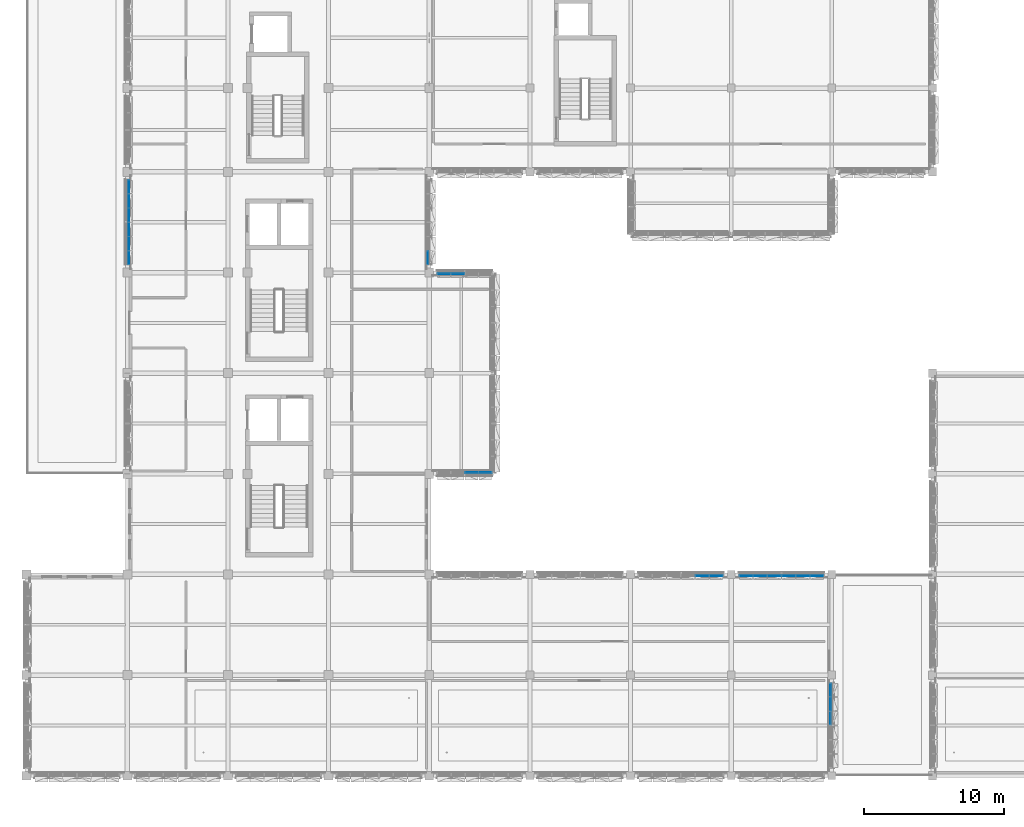
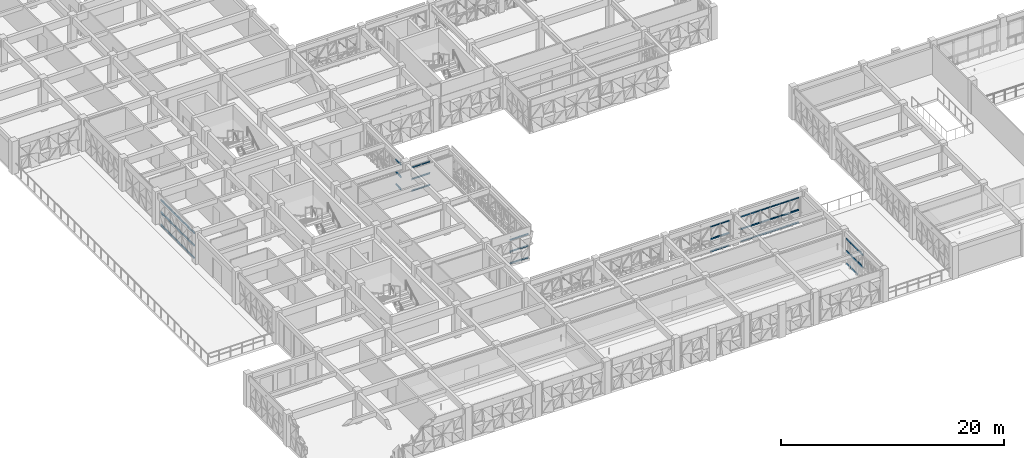
# One storey, part 23 of 85: 65 members, 7 elements without a shape of their own.
"""IFC4 building model written with IfcOpenShell, lengths in metres."""

from ifc_helpers import new_model, si_unit, direction, frame, origin, origin_2d, place, context, subcontext, project, spatial, rectangle, extrude, material, material_profile, profile_set, type_object, element, aggregate, save


model = new_model("IFC4")

# Units and contexts
model_context = context("Model", 3, precision=1e-05, world=origin(), true_north=direction((0.0, 1.0)))
body_context = subcontext(model_context, "Body", "Model", "MODEL_VIEW")
ifc_project = project(units=[si_unit("LENGTHUNIT", "METRE"), si_unit("AREAUNIT", "SQUARE_METRE"), si_unit("VOLUMEUNIT", "CUBIC_METRE"), si_unit("PLANEANGLEUNIT", "RADIAN"), si_unit("MASSUNIT", "GRAM", prefix="KILO")], contexts=[model_context])

# Site, building, storey
site_placement = place(None, origin())
site = spatial("IfcSite", under=ifc_project, at=site_placement, CompositionType="ELEMENT")
building_placement = place(site_placement, origin())
building = spatial("IfcBuilding", under=site, at=building_placement, Name="Alvorim Cloister Faculty of Sciences", CompositionType="ELEMENT")
storey_placement = place(building_placement, frame((0.0, 0.0, 8.550048828125)))
storey = spatial("IfcBuildingStorey", under=building, at=storey_placement, Name="L02", CompositionType="ELEMENT", Elevation=8.550048828125)

# Curtain wall, members
ifc_material_1 = material(Name="Aluminium and Low-E Glass Curtain Wall", Category="aluminium")
curtain_wall_type_1 = type_object("IfcCurtainWallType", Name="CW-TRI-6120x2850", PredefinedType="USERDEFINED", material=ifc_material_1)
curtain_wall_1_placement = place(storey_placement, origin())
curtain_wall_1 = element("IfcCurtainWall", 1, at=curtain_wall_1_placement, inside=storey, type_object=curtain_wall_type_1, Name="L02 Diagonal Cassette Curtain Wall CW-0052", ObjectType="UNITISED CURTAIN WALL", PredefinedType="USERDEFINED")
ifc_material_2 = material(Name="Aluminium Alloy 6063-T6", Category="aluminium")
ifc_material_profile = material_profile(ifc_material_2, rectangle(XDim=0.06494140625, YDim=0.139892578125, at=origin_2d()), Name="ALU-TRN-65x140")
ifc_profile_set = profile_set([ifc_material_profile], Name="Aluminium Alloy 6063-T6")
member_type = type_object("IfcMemberType", Name="CW-TRN-65x140", PredefinedType="USERDEFINED", material=ifc_profile_set)
member_1_placement = place(storey_placement, frame((7.2900390625, 36.60498046875, 0.070068359375), z_axis=(0.0, 1.0, 0.0), x_axis=(-1.0, 0.0, 0.0)))
member_1 = element("IfcMember", 2, at=member_1_placement, type_object=member_type, Name="CW-0052 Transom 1.1", ObjectType="TRANSOM", PredefinedType="USERDEFINED", context=body_context, shape_type="SweptSolid", body=[
    extrude(rectangle(XDim=0.06494140625, YDim=0.139892578125, at=origin_2d()), origin(), (0.0, 0.0, 1.0), 0.922607421875),
])
member_2_placement = place(storey_placement, frame((7.2900390625, 36.60498046875, 1.425048828125), z_axis=(0.0, 1.0, 0.0), x_axis=(-1.0, 0.0, 0.0)))
member_2 = element("IfcMember", 3, at=member_2_placement, type_object=member_type, Name="CW-0052 Transom 1.2", ObjectType="TRANSOM", PredefinedType="USERDEFINED", context=body_context, shape_type="SweptSolid", body=[
    extrude(rectangle(XDim=0.06494140625, YDim=0.139892578125, at=origin_2d()), origin(), (0.0, 0.0, 1.0), 0.922607421875),
])
member_3_placement = place(storey_placement, frame((7.2900390625, 36.60498046875, 2.780029296875), z_axis=(0.0, 1.0, 0.0), x_axis=(-1.0, 0.0, 0.0)))
member_3 = element("IfcMember", 4, at=member_3_placement, type_object=member_type, Name="CW-0052 Transom 1.3", ObjectType="TRANSOM", PredefinedType="USERDEFINED", context=body_context, shape_type="SweptSolid", body=[
    extrude(rectangle(XDim=0.06494140625, YDim=0.139892578125, at=origin_2d()), origin(), (0.0, 0.0, 1.0), 0.922607421875),
])
member_4_placement = place(storey_placement, frame((7.2900390625, 37.592529296875, 0.070068359375), z_axis=(0.0, 1.0, 0.0), x_axis=(-1.0, 0.0, 0.0)))
member_4 = element("IfcMember", 5, at=member_4_placement, type_object=member_type, Name="CW-0052 Transom 2.1", ObjectType="TRANSOM", PredefinedType="USERDEFINED", context=body_context, shape_type="SweptSolid", body=[
    extrude(rectangle(XDim=0.06494140625, YDim=0.139892578125, at=origin_2d()), origin(), (0.0, 0.0, 1.0), 0.955078125),
])
member_5_placement = place(storey_placement, frame((7.2900390625, 37.592529296875, 1.425048828125), z_axis=(0.0, 1.0, 0.0), x_axis=(-1.0, 0.0, 0.0)))
member_5 = element("IfcMember", 6, at=member_5_placement, type_object=member_type, Name="CW-0052 Transom 2.2", ObjectType="TRANSOM", PredefinedType="USERDEFINED", context=body_context, shape_type="SweptSolid", body=[
    extrude(rectangle(XDim=0.06494140625, YDim=0.139892578125, at=origin_2d()), origin(), (0.0, 0.0, 1.0), 0.955078125),
])
member_6_placement = place(storey_placement, frame((7.2900390625, 37.592529296875, 2.780029296875), z_axis=(0.0, 1.0, 0.0), x_axis=(-1.0, 0.0, 0.0)))
member_6 = element("IfcMember", 7, at=member_6_placement, type_object=member_type, Name="CW-0052 Transom 2.3", ObjectType="TRANSOM", PredefinedType="USERDEFINED", context=body_context, shape_type="SweptSolid", body=[
    extrude(rectangle(XDim=0.06494140625, YDim=0.139892578125, at=origin_2d()), origin(), (0.0, 0.0, 1.0), 0.955078125),
])
member_7_placement = place(storey_placement, frame((7.2900390625, 38.612548828125, 0.070068359375), z_axis=(0.0, 1.0, 0.0), x_axis=(-1.0, 0.0, 0.0)))
member_7 = element("IfcMember", 8, at=member_7_placement, type_object=member_type, Name="CW-0052 Transom 3.1", ObjectType="TRANSOM", PredefinedType="USERDEFINED", context=body_context, shape_type="SweptSolid", body=[
    extrude(rectangle(XDim=0.06494140625, YDim=0.139892578125, at=origin_2d()), origin(), (0.0, 0.0, 1.0), 0.954833984375),
])
member_8_placement = place(storey_placement, frame((7.2900390625, 38.612548828125, 1.425048828125), z_axis=(0.0, 1.0, 0.0), x_axis=(-1.0, 0.0, 0.0)))
member_8 = element("IfcMember", 9, at=member_8_placement, type_object=member_type, Name="CW-0052 Transom 3.2", ObjectType="TRANSOM", PredefinedType="USERDEFINED", context=body_context, shape_type="SweptSolid", body=[
    extrude(rectangle(XDim=0.06494140625, YDim=0.139892578125, at=origin_2d()), origin(), (0.0, 0.0, 1.0), 0.954833984375),
])
member_9_placement = place(storey_placement, frame((7.2900390625, 38.612548828125, 2.780029296875), z_axis=(0.0, 1.0, 0.0), x_axis=(-1.0, 0.0, 0.0)))
member_9 = element("IfcMember", 10, at=member_9_placement, type_object=member_type, Name="CW-0052 Transom 3.3", ObjectType="TRANSOM", PredefinedType="USERDEFINED", context=body_context, shape_type="SweptSolid", body=[
    extrude(rectangle(XDim=0.06494140625, YDim=0.139892578125, at=origin_2d()), origin(), (0.0, 0.0, 1.0), 0.954833984375),
])
member_10_placement = place(storey_placement, frame((7.2900390625, 39.632568359375, 0.070068359375), z_axis=(0.0, 1.0, 0.0), x_axis=(-1.0, 0.0, 0.0)))
member_10 = element("IfcMember", 11, at=member_10_placement, type_object=member_type, Name="CW-0052 Transom 4.1", ObjectType="TRANSOM", PredefinedType="USERDEFINED", context=body_context, shape_type="SweptSolid", body=[
    extrude(rectangle(XDim=0.06494140625, YDim=0.139892578125, at=origin_2d()), origin(), (0.0, 0.0, 1.0), 0.954833984375),
])
member_11_placement = place(storey_placement, frame((7.2900390625, 39.632568359375, 1.425048828125), z_axis=(0.0, 1.0, 0.0), x_axis=(-1.0, 0.0, 0.0)))
member_11 = element("IfcMember", 12, at=member_11_placement, type_object=member_type, Name="CW-0052 Transom 4.2", ObjectType="TRANSOM", PredefinedType="USERDEFINED", context=body_context, shape_type="SweptSolid", body=[
    extrude(rectangle(XDim=0.06494140625, YDim=0.139892578125, at=origin_2d()), origin(), (0.0, 0.0, 1.0), 0.954833984375),
])
member_12_placement = place(storey_placement, frame((7.2900390625, 39.632568359375, 2.780029296875), z_axis=(0.0, 1.0, 0.0), x_axis=(-1.0, 0.0, 0.0)))
member_12 = element("IfcMember", 13, at=member_12_placement, type_object=member_type, Name="CW-0052 Transom 4.3", ObjectType="TRANSOM", PredefinedType="USERDEFINED", context=body_context, shape_type="SweptSolid", body=[
    extrude(rectangle(XDim=0.06494140625, YDim=0.139892578125, at=origin_2d()), origin(), (0.0, 0.0, 1.0), 0.954833984375),
])
member_13_placement = place(storey_placement, frame((7.2900390625, 40.652587890625, 0.070068359375), z_axis=(0.0, 1.0, 0.0), x_axis=(-1.0, 0.0, 0.0)))
member_13 = element("IfcMember", 14, at=member_13_placement, type_object=member_type, Name="CW-0052 Transom 5.1", ObjectType="TRANSOM", PredefinedType="USERDEFINED", context=body_context, shape_type="SweptSolid", body=[
    extrude(rectangle(XDim=0.06494140625, YDim=0.139892578125, at=origin_2d()), origin(), (0.0, 0.0, 1.0), 0.954833984375),
])
member_14_placement = place(storey_placement, frame((7.2900390625, 40.652587890625, 1.425048828125), z_axis=(0.0, 1.0, 0.0), x_axis=(-1.0, 0.0, 0.0)))
member_14 = element("IfcMember", 15, at=member_14_placement, type_object=member_type, Name="CW-0052 Transom 5.2", ObjectType="TRANSOM", PredefinedType="USERDEFINED", context=body_context, shape_type="SweptSolid", body=[
    extrude(rectangle(XDim=0.06494140625, YDim=0.139892578125, at=origin_2d()), origin(), (0.0, 0.0, 1.0), 0.954833984375),
])
member_15_placement = place(storey_placement, frame((7.2900390625, 40.652587890625, 2.780029296875), z_axis=(0.0, 1.0, 0.0), x_axis=(-1.0, 0.0, 0.0)))
member_15 = element("IfcMember", 16, at=member_15_placement, type_object=member_type, Name="CW-0052 Transom 5.3", ObjectType="TRANSOM", PredefinedType="USERDEFINED", context=body_context, shape_type="SweptSolid", body=[
    extrude(rectangle(XDim=0.06494140625, YDim=0.139892578125, at=origin_2d()), origin(), (0.0, 0.0, 1.0), 0.954833984375),
])
member_16_placement = place(storey_placement, frame((7.2900390625, 41.672607421875, 0.070068359375), z_axis=(0.0, 1.0, 0.0), x_axis=(-1.0, 0.0, 0.0)))
member_16 = element("IfcMember", 17, at=member_16_placement, type_object=member_type, Name="CW-0052 Transom 6.1", ObjectType="TRANSOM", PredefinedType="USERDEFINED", context=body_context, shape_type="SweptSolid", body=[
    extrude(rectangle(XDim=0.06494140625, YDim=0.139892578125, at=origin_2d()), origin(), (0.0, 0.0, 1.0), 0.92236328125),
])
member_17_placement = place(storey_placement, frame((7.2900390625, 41.672607421875, 1.425048828125), z_axis=(0.0, 1.0, 0.0), x_axis=(-1.0, 0.0, 0.0)))
member_17 = element("IfcMember", 18, at=member_17_placement, type_object=member_type, Name="CW-0052 Transom 6.2", ObjectType="TRANSOM", PredefinedType="USERDEFINED", context=body_context, shape_type="SweptSolid", body=[
    extrude(rectangle(XDim=0.06494140625, YDim=0.139892578125, at=origin_2d()), origin(), (0.0, 0.0, 1.0), 0.92236328125),
])
member_18_placement = place(storey_placement, frame((7.2900390625, 41.672607421875, 2.780029296875), z_axis=(0.0, 1.0, 0.0), x_axis=(-1.0, 0.0, 0.0)))
member_18 = element("IfcMember", 19, at=member_18_placement, type_object=member_type, Name="CW-0052 Transom 6.3", ObjectType="TRANSOM", PredefinedType="USERDEFINED", context=body_context, shape_type="SweptSolid", body=[
    extrude(rectangle(XDim=0.06494140625, YDim=0.139892578125, at=origin_2d()), origin(), (0.0, 0.0, 1.0), 0.92236328125),
])
aggregate(curtain_wall_1, [member_1, member_2, member_3, member_4, member_5, member_6, member_7, member_8, member_9, member_10, member_11, member_12, member_13, member_14, member_15, member_16, member_17, member_18])

curtain_wall_2_placement = place(storey_placement, origin())
curtain_wall_2 = element("IfcCurtainWall", 20, at=curtain_wall_2_placement, inside=storey, type_object=curtain_wall_type_1, Name="L02 Diagonal Cassette Curtain Wall CW-0070", ObjectType="UNITISED CURTAIN WALL", PredefinedType="USERDEFINED")
member_19_placement = place(storey_placement, frame((28.7099609375, 36.60498046875, 0.070068359375), z_axis=(0.0, 1.0, 0.0), x_axis=(-1.0, 0.0, 0.0)))
member_19 = element("IfcMember", 21, at=member_19_placement, type_object=member_type, Name="CW-0070 Transom 1.1", ObjectType="TRANSOM", PredefinedType="USERDEFINED", context=body_context, shape_type="SweptSolid", body=[
    extrude(rectangle(XDim=0.06494140625, YDim=0.139892578125, at=origin_2d()), origin(), (0.0, 0.0, 1.0), 0.922607421875),
])
member_20_placement = place(storey_placement, frame((28.7099609375, 36.60498046875, 1.425048828125), z_axis=(0.0, 1.0, 0.0), x_axis=(-1.0, 0.0, 0.0)))
member_20 = element("IfcMember", 22, at=member_20_placement, type_object=member_type, Name="CW-0070 Transom 1.2", ObjectType="TRANSOM", PredefinedType="USERDEFINED", context=body_context, shape_type="SweptSolid", body=[
    extrude(rectangle(XDim=0.06494140625, YDim=0.139892578125, at=origin_2d()), origin(), (0.0, 0.0, 1.0), 0.922607421875),
])
member_21_placement = place(storey_placement, frame((28.7099609375, 36.60498046875, 2.780029296875), z_axis=(0.0, 1.0, 0.0), x_axis=(-1.0, 0.0, 0.0)))
member_21 = element("IfcMember", 23, at=member_21_placement, type_object=member_type, Name="CW-0070 Transom 1.3", ObjectType="TRANSOM", PredefinedType="USERDEFINED", context=body_context, shape_type="SweptSolid", body=[
    extrude(rectangle(XDim=0.06494140625, YDim=0.139892578125, at=origin_2d()), origin(), (0.0, 0.0, 1.0), 0.922607421875),
])
aggregate(curtain_wall_2, [member_19, member_20, member_21])

curtain_wall_type_2 = type_object("IfcCurtainWallType", Name="CW-TRI-3980x2706", PredefinedType="USERDEFINED", material=ifc_material_1)
curtain_wall_3_placement = place(storey_placement, origin())
curtain_wall_3 = element("IfcCurtainWall", 24, at=curtain_wall_3_placement, inside=storey, type_object=curtain_wall_type_2, Name="L02 Diagonal Cassette Curtain Wall CW-0071", ObjectType="UNITISED CURTAIN WALL", PredefinedType="USERDEFINED")
member_22_placement = place(storey_placement, frame((29.405029296875, 35.909912109375, 0.070068359375), z_axis=(1.0, 0.0, 0.0), x_axis=(0.0, 1.0, 0.0)))
member_22 = element("IfcMember", 25, at=member_22_placement, type_object=member_type, Name="CW-0071 Transom 1.1", ObjectType="TRANSOM", PredefinedType="USERDEFINED", context=body_context, shape_type="SweptSolid", body=[
    extrude(rectangle(XDim=0.06494140625, YDim=0.139892578125, at=origin_2d()), origin(), (0.0, 0.0, 1.0), 0.8974609375),
])
member_23_placement = place(storey_placement, frame((29.405029296875, 35.909912109375, 1.35302734375), z_axis=(1.0, 0.0, 0.0), x_axis=(0.0, 1.0, 0.0)))
member_23 = element("IfcMember", 26, at=member_23_placement, type_object=member_type, Name="CW-0071 Transom 1.2", ObjectType="TRANSOM", PredefinedType="USERDEFINED", context=body_context, shape_type="SweptSolid", body=[
    extrude(rectangle(XDim=0.06494140625, YDim=0.139892578125, at=origin_2d()), origin(), (0.0, 0.0, 1.0), 0.8974609375),
])
member_24_placement = place(storey_placement, frame((29.405029296875, 35.909912109375, 2.635986328125), z_axis=(1.0, 0.0, 0.0), x_axis=(0.0, 1.0, 0.0)))
member_24 = element("IfcMember", 27, at=member_24_placement, type_object=member_type, Name="CW-0071 Transom 1.3", ObjectType="TRANSOM", PredefinedType="USERDEFINED", context=body_context, shape_type="SweptSolid", body=[
    extrude(rectangle(XDim=0.06494140625, YDim=0.139892578125, at=origin_2d()), origin(), (0.0, 0.0, 1.0), 0.8974609375),
])
member_25_placement = place(storey_placement, frame((30.367431640625, 35.909912109375, 0.070068359375), z_axis=(1.0, 0.0, 0.0), x_axis=(0.0, 1.0, 0.0)))
member_25 = element("IfcMember", 28, at=member_25_placement, type_object=member_type, Name="CW-0071 Transom 2.1", ObjectType="TRANSOM", PredefinedType="USERDEFINED", context=body_context, shape_type="SweptSolid", body=[
    extrude(rectangle(XDim=0.06494140625, YDim=0.139892578125, at=origin_2d()), origin(), (0.0, 0.0, 1.0), 0.93017578125),
])
member_26_placement = place(storey_placement, frame((30.367431640625, 35.909912109375, 1.35302734375), z_axis=(1.0, 0.0, 0.0), x_axis=(0.0, 1.0, 0.0)))
member_26 = element("IfcMember", 29, at=member_26_placement, type_object=member_type, Name="CW-0071 Transom 2.2", ObjectType="TRANSOM", PredefinedType="USERDEFINED", context=body_context, shape_type="SweptSolid", body=[
    extrude(rectangle(XDim=0.06494140625, YDim=0.139892578125, at=origin_2d()), origin(), (0.0, 0.0, 1.0), 0.93017578125),
])
member_27_placement = place(storey_placement, frame((30.367431640625, 35.909912109375, 2.635986328125), z_axis=(1.0, 0.0, 0.0), x_axis=(0.0, 1.0, 0.0)))
member_27 = element("IfcMember", 30, at=member_27_placement, type_object=member_type, Name="CW-0071 Transom 2.3", ObjectType="TRANSOM", PredefinedType="USERDEFINED", context=body_context, shape_type="SweptSolid", body=[
    extrude(rectangle(XDim=0.06494140625, YDim=0.139892578125, at=origin_2d()), origin(), (0.0, 0.0, 1.0), 0.93017578125),
])
aggregate(curtain_wall_3, [member_22, member_23, member_24, member_25, member_26, member_27])

curtain_wall_4_placement = place(storey_placement, origin())
curtain_wall_4 = element("IfcCurtainWall", 31, at=curtain_wall_4_placement, inside=storey, type_object=curtain_wall_type_2, Name="L02 Diagonal Cassette Curtain Wall CW-0074", ObjectType="UNITISED CURTAIN WALL", PredefinedType="USERDEFINED")
member_28_placement = place(storey_placement, frame((31.362548828125, 21.68994140625, 0.070068359375), z_axis=(1.0, 0.0, 0.0), x_axis=(0.0, 1.0, 0.0)))
member_28 = element("IfcMember", 32, at=member_28_placement, type_object=member_type, Name="CW-0074 Transom 3.1", ObjectType="TRANSOM", PredefinedType="USERDEFINED", context=body_context, shape_type="SweptSolid", body=[
    extrude(rectangle(XDim=0.06494140625, YDim=0.139892578125, at=origin_2d()), origin(), (0.0, 0.0, 1.0), 0.929931640625),
])
member_29_placement = place(storey_placement, frame((31.362548828125, 21.68994140625, 1.35302734375), z_axis=(1.0, 0.0, 0.0), x_axis=(0.0, 1.0, 0.0)))
member_29 = element("IfcMember", 33, at=member_29_placement, type_object=member_type, Name="CW-0074 Transom 3.2", ObjectType="TRANSOM", PredefinedType="USERDEFINED", context=body_context, shape_type="SweptSolid", body=[
    extrude(rectangle(XDim=0.06494140625, YDim=0.139892578125, at=origin_2d()), origin(), (0.0, 0.0, 1.0), 0.929931640625),
])
member_30_placement = place(storey_placement, frame((31.362548828125, 21.68994140625, 2.635986328125), z_axis=(1.0, 0.0, 0.0), x_axis=(0.0, 1.0, 0.0)))
member_30 = element("IfcMember", 34, at=member_30_placement, type_object=member_type, Name="CW-0074 Transom 3.3", ObjectType="TRANSOM", PredefinedType="USERDEFINED", context=body_context, shape_type="SweptSolid", body=[
    extrude(rectangle(XDim=0.06494140625, YDim=0.139892578125, at=origin_2d()), origin(), (0.0, 0.0, 1.0), 0.929931640625),
])
member_31_placement = place(storey_placement, frame((32.357421875, 21.68994140625, 0.070068359375), z_axis=(1.0, 0.0, 0.0), x_axis=(0.0, 1.0, 0.0)))
member_31 = element("IfcMember", 35, at=member_31_placement, type_object=member_type, Name="CW-0074 Transom 4.1", ObjectType="TRANSOM", PredefinedType="USERDEFINED", context=body_context, shape_type="SweptSolid", body=[
    extrude(rectangle(XDim=0.06494140625, YDim=0.139892578125, at=origin_2d()), origin(), (0.0, 0.0, 1.0), 0.8974609375),
])
member_32_placement = place(storey_placement, frame((32.357421875, 21.68994140625, 1.35302734375), z_axis=(1.0, 0.0, 0.0), x_axis=(0.0, 1.0, 0.0)))
member_32 = element("IfcMember", 36, at=member_32_placement, type_object=member_type, Name="CW-0074 Transom 4.2", ObjectType="TRANSOM", PredefinedType="USERDEFINED", context=body_context, shape_type="SweptSolid", body=[
    extrude(rectangle(XDim=0.06494140625, YDim=0.139892578125, at=origin_2d()), origin(), (0.0, 0.0, 1.0), 0.8974609375),
])
member_33_placement = place(storey_placement, frame((32.357421875, 21.68994140625, 2.635986328125), z_axis=(1.0, 0.0, 0.0), x_axis=(0.0, 1.0, 0.0)))
member_33 = element("IfcMember", 37, at=member_33_placement, type_object=member_type, Name="CW-0074 Transom 4.3", ObjectType="TRANSOM", PredefinedType="USERDEFINED", context=body_context, shape_type="SweptSolid", body=[
    extrude(rectangle(XDim=0.06494140625, YDim=0.139892578125, at=origin_2d()), origin(), (0.0, 0.0, 1.0), 0.8974609375),
])
aggregate(curtain_wall_4, [member_28, member_29, member_30, member_31, member_32, member_33])

curtain_wall_5_placement = place(storey_placement, origin())
curtain_wall_5 = element("IfcCurtainWall", 38, at=curtain_wall_5_placement, inside=storey, type_object=curtain_wall_type_1, Name="L02 Diagonal Cassette Curtain Wall CW-0077", ObjectType="UNITISED CURTAIN WALL", PredefinedType="USERDEFINED")
member_34_placement = place(storey_placement, frame((47.8525390625, 14.31005859375, 0.070068359375), z_axis=(1.0, 0.0, 0.0), x_axis=(0.0, 1.0, 0.0)))
member_34 = element("IfcMember", 39, at=member_34_placement, type_object=member_type, Name="CW-0077 Transom 5.1", ObjectType="TRANSOM", PredefinedType="USERDEFINED", context=body_context, shape_type="SweptSolid", body=[
    extrude(rectangle(XDim=0.06494140625, YDim=0.139892578125, at=origin_2d()), origin(), (0.0, 0.0, 1.0), 0.955078125),
])
member_35_placement = place(storey_placement, frame((47.8525390625, 14.31005859375, 1.425048828125), z_axis=(1.0, 0.0, 0.0), x_axis=(0.0, 1.0, 0.0)))
member_35 = element("IfcMember", 40, at=member_35_placement, type_object=member_type, Name="CW-0077 Transom 5.2", ObjectType="TRANSOM", PredefinedType="USERDEFINED", context=body_context, shape_type="SweptSolid", body=[
    extrude(rectangle(XDim=0.06494140625, YDim=0.139892578125, at=origin_2d()), origin(), (0.0, 0.0, 1.0), 0.955078125),
])
member_36_placement = place(storey_placement, frame((47.8525390625, 14.31005859375, 2.780029296875), z_axis=(1.0, 0.0, 0.0), x_axis=(0.0, 1.0, 0.0)))
member_36 = element("IfcMember", 41, at=member_36_placement, type_object=member_type, Name="CW-0077 Transom 5.3", ObjectType="TRANSOM", PredefinedType="USERDEFINED", context=body_context, shape_type="SweptSolid", body=[
    extrude(rectangle(XDim=0.06494140625, YDim=0.139892578125, at=origin_2d()), origin(), (0.0, 0.0, 1.0), 0.955078125),
])
member_37_placement = place(storey_placement, frame((48.87255859375, 14.31005859375, 0.070068359375), z_axis=(1.0, 0.0, 0.0), x_axis=(0.0, 1.0, 0.0)))
member_37 = element("IfcMember", 42, at=member_37_placement, type_object=member_type, Name="CW-0077 Transom 6.1", ObjectType="TRANSOM", PredefinedType="USERDEFINED", context=body_context, shape_type="SweptSolid", body=[
    extrude(rectangle(XDim=0.06494140625, YDim=0.139892578125, at=origin_2d()), origin(), (0.0, 0.0, 1.0), 0.92236328125),
])
member_38_placement = place(storey_placement, frame((48.87255859375, 14.31005859375, 1.425048828125), z_axis=(1.0, 0.0, 0.0), x_axis=(0.0, 1.0, 0.0)))
member_38 = element("IfcMember", 43, at=member_38_placement, type_object=member_type, Name="CW-0077 Transom 6.2", ObjectType="TRANSOM", PredefinedType="USERDEFINED", context=body_context, shape_type="SweptSolid", body=[
    extrude(rectangle(XDim=0.06494140625, YDim=0.139892578125, at=origin_2d()), origin(), (0.0, 0.0, 1.0), 0.92236328125),
])
member_39_placement = place(storey_placement, frame((48.87255859375, 14.31005859375, 2.780029296875), z_axis=(1.0, 0.0, 0.0), x_axis=(0.0, 1.0, 0.0)))
member_39 = element("IfcMember", 44, at=member_39_placement, type_object=member_type, Name="CW-0077 Transom 6.3", ObjectType="TRANSOM", PredefinedType="USERDEFINED", context=body_context, shape_type="SweptSolid", body=[
    extrude(rectangle(XDim=0.06494140625, YDim=0.139892578125, at=origin_2d()), origin(), (0.0, 0.0, 1.0), 0.92236328125),
])
aggregate(curtain_wall_5, [member_34, member_35, member_36, member_37, member_38, member_39])

curtain_wall_6_placement = place(storey_placement, origin())
curtain_wall_6 = element("IfcCurtainWall", 45, at=curtain_wall_6_placement, inside=storey, type_object=curtain_wall_type_1, Name="L02 Diagonal Cassette Curtain Wall CW-0078", ObjectType="UNITISED CURTAIN WALL", PredefinedType="USERDEFINED")
member_40_placement = place(storey_placement, frame((51.0048828125, 14.31005859375, 0.070068359375), z_axis=(1.0, 0.0, 0.0), x_axis=(0.0, 1.0, 0.0)))
member_40 = element("IfcMember", 46, at=member_40_placement, type_object=member_type, Name="CW-0078 Transom 1.1", ObjectType="TRANSOM", PredefinedType="USERDEFINED", context=body_context, shape_type="SweptSolid", body=[
    extrude(rectangle(XDim=0.06494140625, YDim=0.139892578125, at=origin_2d()), origin(), (0.0, 0.0, 1.0), 0.922607421875),
])
member_41_placement = place(storey_placement, frame((51.0048828125, 14.31005859375, 1.425048828125), z_axis=(1.0, 0.0, 0.0), x_axis=(0.0, 1.0, 0.0)))
member_41 = element("IfcMember", 47, at=member_41_placement, type_object=member_type, Name="CW-0078 Transom 1.2", ObjectType="TRANSOM", PredefinedType="USERDEFINED", context=body_context, shape_type="SweptSolid", body=[
    extrude(rectangle(XDim=0.06494140625, YDim=0.139892578125, at=origin_2d()), origin(), (0.0, 0.0, 1.0), 0.922607421875),
])
member_42_placement = place(storey_placement, frame((51.0048828125, 14.31005859375, 2.780029296875), z_axis=(1.0, 0.0, 0.0), x_axis=(0.0, 1.0, 0.0)))
member_42 = element("IfcMember", 48, at=member_42_placement, type_object=member_type, Name="CW-0078 Transom 1.3", ObjectType="TRANSOM", PredefinedType="USERDEFINED", context=body_context, shape_type="SweptSolid", body=[
    extrude(rectangle(XDim=0.06494140625, YDim=0.139892578125, at=origin_2d()), origin(), (0.0, 0.0, 1.0), 0.922607421875),
])
member_43_placement = place(storey_placement, frame((51.992431640625, 14.31005859375, 0.070068359375), z_axis=(1.0, 0.0, 0.0), x_axis=(0.0, 1.0, 0.0)))
member_43 = element("IfcMember", 49, at=member_43_placement, type_object=member_type, Name="CW-0078 Transom 2.1", ObjectType="TRANSOM", PredefinedType="USERDEFINED", context=body_context, shape_type="SweptSolid", body=[
    extrude(rectangle(XDim=0.06494140625, YDim=0.139892578125, at=origin_2d()), origin(), (0.0, 0.0, 1.0), 0.955078125),
])
member_44_placement = place(storey_placement, frame((51.992431640625, 14.31005859375, 1.425048828125), z_axis=(1.0, 0.0, 0.0), x_axis=(0.0, 1.0, 0.0)))
member_44 = element("IfcMember", 50, at=member_44_placement, type_object=member_type, Name="CW-0078 Transom 2.2", ObjectType="TRANSOM", PredefinedType="USERDEFINED", context=body_context, shape_type="SweptSolid", body=[
    extrude(rectangle(XDim=0.06494140625, YDim=0.139892578125, at=origin_2d()), origin(), (0.0, 0.0, 1.0), 0.955078125),
])
member_45_placement = place(storey_placement, frame((51.992431640625, 14.31005859375, 2.780029296875), z_axis=(1.0, 0.0, 0.0), x_axis=(0.0, 1.0, 0.0)))
member_45 = element("IfcMember", 51, at=member_45_placement, type_object=member_type, Name="CW-0078 Transom 2.3", ObjectType="TRANSOM", PredefinedType="USERDEFINED", context=body_context, shape_type="SweptSolid", body=[
    extrude(rectangle(XDim=0.06494140625, YDim=0.139892578125, at=origin_2d()), origin(), (0.0, 0.0, 1.0), 0.955078125),
])
member_46_placement = place(storey_placement, frame((53.012451171875, 14.31005859375, 0.070068359375), z_axis=(1.0, 0.0, 0.0), x_axis=(0.0, 1.0, 0.0)))
member_46 = element("IfcMember", 52, at=member_46_placement, type_object=member_type, Name="CW-0078 Transom 3.1", ObjectType="TRANSOM", PredefinedType="USERDEFINED", context=body_context, shape_type="SweptSolid", body=[
    extrude(rectangle(XDim=0.06494140625, YDim=0.139892578125, at=origin_2d()), origin(), (0.0, 0.0, 1.0), 0.955078125),
])
member_47_placement = place(storey_placement, frame((53.012451171875, 14.31005859375, 1.425048828125), z_axis=(1.0, 0.0, 0.0), x_axis=(0.0, 1.0, 0.0)))
member_47 = element("IfcMember", 53, at=member_47_placement, type_object=member_type, Name="CW-0078 Transom 3.2", ObjectType="TRANSOM", PredefinedType="USERDEFINED", context=body_context, shape_type="SweptSolid", body=[
    extrude(rectangle(XDim=0.06494140625, YDim=0.139892578125, at=origin_2d()), origin(), (0.0, 0.0, 1.0), 0.955078125),
])
member_48_placement = place(storey_placement, frame((53.012451171875, 14.31005859375, 2.780029296875), z_axis=(1.0, 0.0, 0.0), x_axis=(0.0, 1.0, 0.0)))
member_48 = element("IfcMember", 54, at=member_48_placement, type_object=member_type, Name="CW-0078 Transom 3.3", ObjectType="TRANSOM", PredefinedType="USERDEFINED", context=body_context, shape_type="SweptSolid", body=[
    extrude(rectangle(XDim=0.06494140625, YDim=0.139892578125, at=origin_2d()), origin(), (0.0, 0.0, 1.0), 0.955078125),
])
member_49_placement = place(storey_placement, frame((54.032470703125, 14.31005859375, 0.070068359375), z_axis=(1.0, 0.0, 0.0), x_axis=(0.0, 1.0, 0.0)))
member_49 = element("IfcMember", 55, at=member_49_placement, type_object=member_type, Name="CW-0078 Transom 4.1", ObjectType="TRANSOM", PredefinedType="USERDEFINED", context=body_context, shape_type="SweptSolid", body=[
    extrude(rectangle(XDim=0.06494140625, YDim=0.139892578125, at=origin_2d()), origin(), (0.0, 0.0, 1.0), 0.955078125),
])
member_50_placement = place(storey_placement, frame((54.032470703125, 14.31005859375, 1.425048828125), z_axis=(1.0, 0.0, 0.0), x_axis=(0.0, 1.0, 0.0)))
member_50 = element("IfcMember", 56, at=member_50_placement, type_object=member_type, Name="CW-0078 Transom 4.2", ObjectType="TRANSOM", PredefinedType="USERDEFINED", context=body_context, shape_type="SweptSolid", body=[
    extrude(rectangle(XDim=0.06494140625, YDim=0.139892578125, at=origin_2d()), origin(), (0.0, 0.0, 1.0), 0.955078125),
])
member_51_placement = place(storey_placement, frame((54.032470703125, 14.31005859375, 2.780029296875), z_axis=(1.0, 0.0, 0.0), x_axis=(0.0, 1.0, 0.0)))
member_51 = element("IfcMember", 57, at=member_51_placement, type_object=member_type, Name="CW-0078 Transom 4.3", ObjectType="TRANSOM", PredefinedType="USERDEFINED", context=body_context, shape_type="SweptSolid", body=[
    extrude(rectangle(XDim=0.06494140625, YDim=0.139892578125, at=origin_2d()), origin(), (0.0, 0.0, 1.0), 0.955078125),
])
member_52_placement = place(storey_placement, frame((55.052490234375, 14.31005859375, 0.070068359375), z_axis=(1.0, 0.0, 0.0), x_axis=(0.0, 1.0, 0.0)))
member_52 = element("IfcMember", 58, at=member_52_placement, type_object=member_type, Name="CW-0078 Transom 5.1", ObjectType="TRANSOM", PredefinedType="USERDEFINED", context=body_context, shape_type="SweptSolid", body=[
    extrude(rectangle(XDim=0.06494140625, YDim=0.139892578125, at=origin_2d()), origin(), (0.0, 0.0, 1.0), 0.955078125),
])
member_53_placement = place(storey_placement, frame((55.052490234375, 14.31005859375, 1.425048828125), z_axis=(1.0, 0.0, 0.0), x_axis=(0.0, 1.0, 0.0)))
member_53 = element("IfcMember", 59, at=member_53_placement, type_object=member_type, Name="CW-0078 Transom 5.2", ObjectType="TRANSOM", PredefinedType="USERDEFINED", context=body_context, shape_type="SweptSolid", body=[
    extrude(rectangle(XDim=0.06494140625, YDim=0.139892578125, at=origin_2d()), origin(), (0.0, 0.0, 1.0), 0.955078125),
])
member_54_placement = place(storey_placement, frame((55.052490234375, 14.31005859375, 2.780029296875), z_axis=(1.0, 0.0, 0.0), x_axis=(0.0, 1.0, 0.0)))
member_54 = element("IfcMember", 60, at=member_54_placement, type_object=member_type, Name="CW-0078 Transom 5.3", ObjectType="TRANSOM", PredefinedType="USERDEFINED", context=body_context, shape_type="SweptSolid", body=[
    extrude(rectangle(XDim=0.06494140625, YDim=0.139892578125, at=origin_2d()), origin(), (0.0, 0.0, 1.0), 0.955078125),
])
member_55_placement = place(storey_placement, frame((56.072509765625, 14.31005859375, 0.070068359375), z_axis=(1.0, 0.0, 0.0), x_axis=(0.0, 1.0, 0.0)))
member_55 = element("IfcMember", 61, at=member_55_placement, type_object=member_type, Name="CW-0078 Transom 6.1", ObjectType="TRANSOM", PredefinedType="USERDEFINED", context=body_context, shape_type="SweptSolid", body=[
    extrude(rectangle(XDim=0.06494140625, YDim=0.139892578125, at=origin_2d()), origin(), (0.0, 0.0, 1.0), 0.922607421875),
])
member_56_placement = place(storey_placement, frame((56.072509765625, 14.31005859375, 1.425048828125), z_axis=(1.0, 0.0, 0.0), x_axis=(0.0, 1.0, 0.0)))
member_56 = element("IfcMember", 62, at=member_56_placement, type_object=member_type, Name="CW-0078 Transom 6.2", ObjectType="TRANSOM", PredefinedType="USERDEFINED", context=body_context, shape_type="SweptSolid", body=[
    extrude(rectangle(XDim=0.06494140625, YDim=0.139892578125, at=origin_2d()), origin(), (0.0, 0.0, 1.0), 0.922607421875),
])
member_57_placement = place(storey_placement, frame((56.072509765625, 14.31005859375, 2.780029296875), z_axis=(1.0, 0.0, 0.0), x_axis=(0.0, 1.0, 0.0)))
member_57 = element("IfcMember", 63, at=member_57_placement, type_object=member_type, Name="CW-0078 Transom 6.3", ObjectType="TRANSOM", PredefinedType="USERDEFINED", context=body_context, shape_type="SweptSolid", body=[
    extrude(rectangle(XDim=0.06494140625, YDim=0.139892578125, at=origin_2d()), origin(), (0.0, 0.0, 1.0), 0.922607421875),
])
aggregate(curtain_wall_6, [member_40, member_41, member_42, member_43, member_44, member_45, member_46, member_47, member_48, member_49, member_50, member_51, member_52, member_53, member_54, member_55, member_56, member_57])

curtain_wall_7_placement = place(storey_placement, origin())
curtain_wall_7 = element("IfcCurtainWall", 64, at=curtain_wall_7_placement, inside=storey, type_object=curtain_wall_type_1, Name="L02 Diagonal Cassette Curtain Wall CW-0079", ObjectType="UNITISED CURTAIN WALL", PredefinedType="USERDEFINED")
member_58_placement = place(storey_placement, frame((57.510009765625, 3.632568359375, 1.425048828125), z_axis=(0.0, 1.0, 0.0), x_axis=(-1.0, 0.0, 0.0)))
member_58 = element("IfcMember", 65, at=member_58_placement, type_object=member_type, Name="CW-0079 Transom 4.2", ObjectType="TRANSOM", PredefinedType="USERDEFINED", context=body_context, shape_type="SweptSolid", body=[
    extrude(rectangle(XDim=0.06494140625, YDim=0.139892578125, at=origin_2d()), origin(), (0.0, 0.0, 1.0), 0.954833984375),
])
member_59_placement = place(storey_placement, frame((57.510009765625, 3.632568359375, 2.780029296875), z_axis=(0.0, 1.0, 0.0), x_axis=(-1.0, 0.0, 0.0)))
member_59 = element("IfcMember", 66, at=member_59_placement, type_object=member_type, Name="CW-0079 Transom 4.3", ObjectType="TRANSOM", PredefinedType="USERDEFINED", context=body_context, shape_type="SweptSolid", body=[
    extrude(rectangle(XDim=0.06494140625, YDim=0.139892578125, at=origin_2d()), origin(), (0.0, 0.0, 1.0), 0.954833984375),
])
member_60_placement = place(storey_placement, frame((57.510009765625, 4.652587890625, 0.070068359375), z_axis=(0.0, 1.0, 0.0), x_axis=(-1.0, 0.0, 0.0)))
member_60 = element("IfcMember", 67, at=member_60_placement, type_object=member_type, Name="CW-0079 Transom 5.1", ObjectType="TRANSOM", PredefinedType="USERDEFINED", context=body_context, shape_type="SweptSolid", body=[
    extrude(rectangle(XDim=0.06494140625, YDim=0.139892578125, at=origin_2d()), origin(), (0.0, 0.0, 1.0), 0.954833984375),
])
member_61_placement = place(storey_placement, frame((57.510009765625, 4.652587890625, 1.425048828125), z_axis=(0.0, 1.0, 0.0), x_axis=(-1.0, 0.0, 0.0)))
member_61 = element("IfcMember", 68, at=member_61_placement, type_object=member_type, Name="CW-0079 Transom 5.2", ObjectType="TRANSOM", PredefinedType="USERDEFINED", context=body_context, shape_type="SweptSolid", body=[
    extrude(rectangle(XDim=0.06494140625, YDim=0.139892578125, at=origin_2d()), origin(), (0.0, 0.0, 1.0), 0.954833984375),
])
member_62_placement = place(storey_placement, frame((57.510009765625, 4.652587890625, 2.780029296875), z_axis=(0.0, 1.0, 0.0), x_axis=(-1.0, 0.0, 0.0)))
member_62 = element("IfcMember", 69, at=member_62_placement, type_object=member_type, Name="CW-0079 Transom 5.3", ObjectType="TRANSOM", PredefinedType="USERDEFINED", context=body_context, shape_type="SweptSolid", body=[
    extrude(rectangle(XDim=0.06494140625, YDim=0.139892578125, at=origin_2d()), origin(), (0.0, 0.0, 1.0), 0.954833984375),
])
member_63_placement = place(storey_placement, frame((57.510009765625, 5.672607421875, 0.070068359375), z_axis=(0.0, 1.0, 0.0), x_axis=(-1.0, 0.0, 0.0)))
member_63 = element("IfcMember", 70, at=member_63_placement, type_object=member_type, Name="CW-0079 Transom 6.1", ObjectType="TRANSOM", PredefinedType="USERDEFINED", context=body_context, shape_type="SweptSolid", body=[
    extrude(rectangle(XDim=0.06494140625, YDim=0.139892578125, at=origin_2d()), origin(), (0.0, 0.0, 1.0), 0.92236328125),
])
member_64_placement = place(storey_placement, frame((57.510009765625, 5.672607421875, 1.425048828125), z_axis=(0.0, 1.0, 0.0), x_axis=(-1.0, 0.0, 0.0)))
member_64 = element("IfcMember", 71, at=member_64_placement, type_object=member_type, Name="CW-0079 Transom 6.2", ObjectType="TRANSOM", PredefinedType="USERDEFINED", context=body_context, shape_type="SweptSolid", body=[
    extrude(rectangle(XDim=0.06494140625, YDim=0.139892578125, at=origin_2d()), origin(), (0.0, 0.0, 1.0), 0.92236328125),
])
member_65_placement = place(storey_placement, frame((57.510009765625, 5.672607421875, 2.780029296875), z_axis=(0.0, 1.0, 0.0), x_axis=(-1.0, 0.0, 0.0)))
member_65 = element("IfcMember", 72, at=member_65_placement, type_object=member_type, Name="CW-0079 Transom 6.3", ObjectType="TRANSOM", PredefinedType="USERDEFINED", context=body_context, shape_type="SweptSolid", body=[
    extrude(rectangle(XDim=0.06494140625, YDim=0.139892578125, at=origin_2d()), origin(), (0.0, 0.0, 1.0), 0.92236328125),
])
aggregate(curtain_wall_7, [member_58, member_59, member_60, member_61, member_62, member_63, member_64, member_65])

save(model, "model.ifc")
